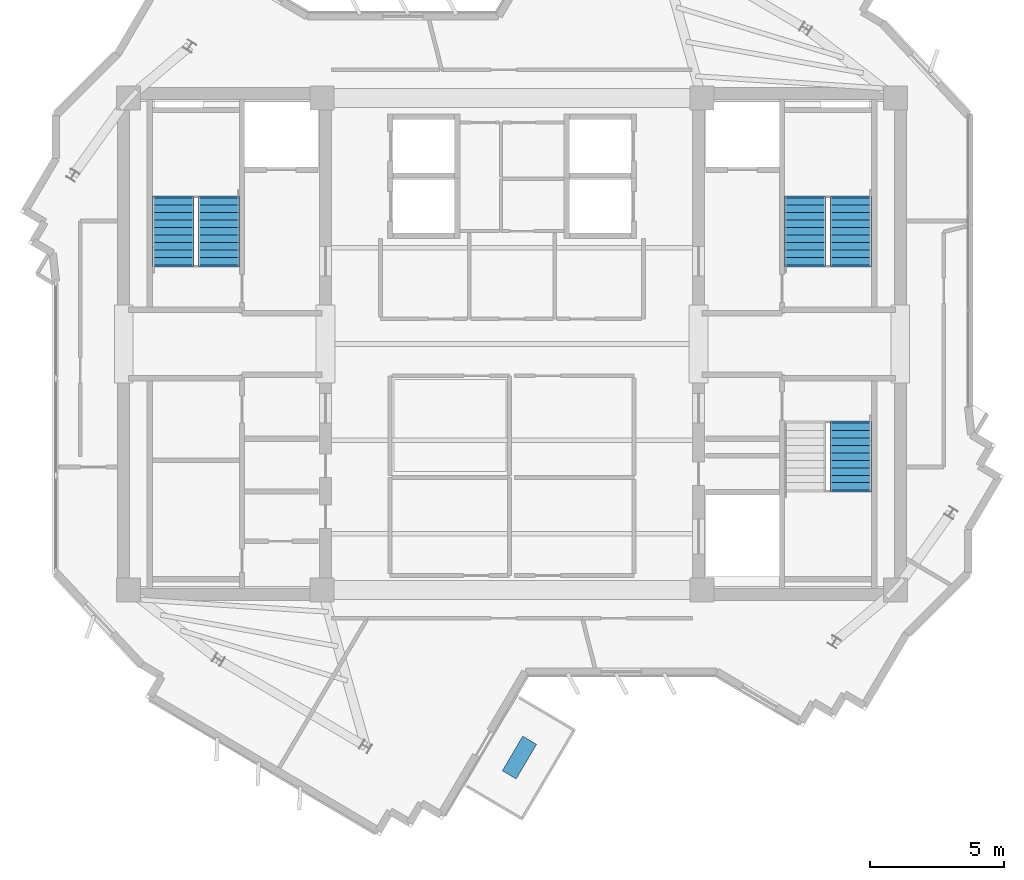
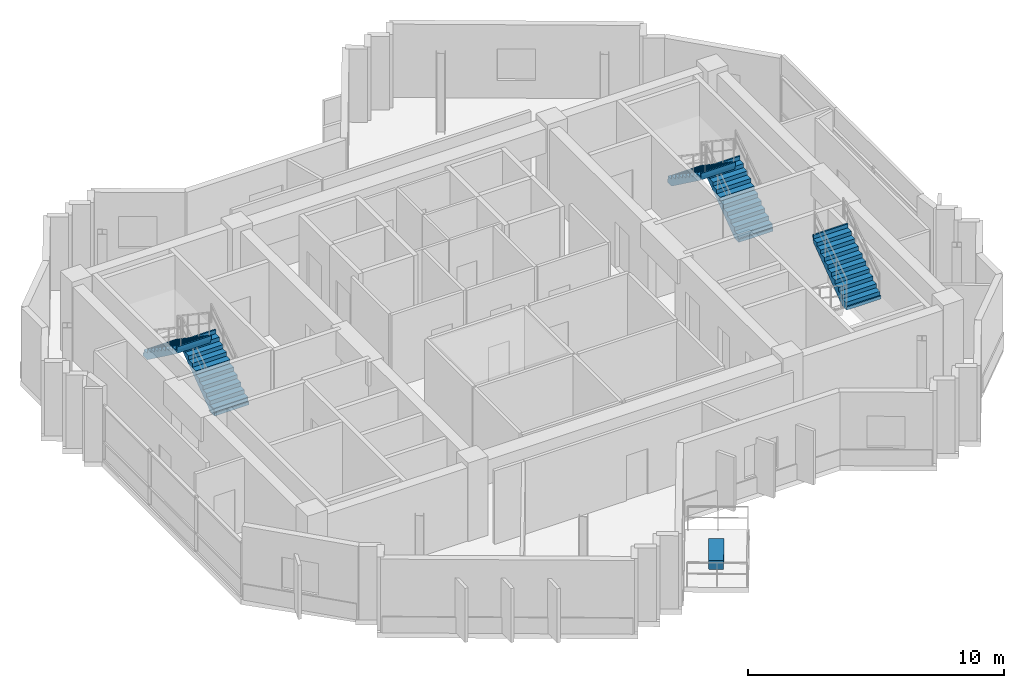
# One storey, part 8 of 10: 5 stair flights, 1 discrete accessory, 3 elements without a shape of their own.
"""IFC4 building model written with IfcOpenShell, lengths in metres."""

from ifc_helpers import new_model, si_unit, direction, frame, origin, origin_2d, place, context, subcontext, project, spatial, polyline, rectangle, outline, extrude, source, transform, mapped, material, type_object, element, aggregate, save


model = new_model("IFC4")

# Units and contexts
model_context = context("Model", 3, precision=1e-05, world=origin(), true_north=direction((0.0, 1.0)))
body_context = subcontext(model_context, "Body", "Model", "MODEL_VIEW")
ifc_project = project(units=[si_unit("LENGTHUNIT", "METRE"), si_unit("AREAUNIT", "SQUARE_METRE"), si_unit("VOLUMEUNIT", "CUBIC_METRE"), si_unit("PLANEANGLEUNIT", "RADIAN"), si_unit("MASSUNIT", "GRAM", prefix="KILO")], contexts=[model_context])

# Site, building, storey
site_placement = place(None, origin())
site = spatial("IfcSite", under=ifc_project, at=site_placement, CompositionType="ELEMENT")
building_placement = place(site_placement, origin())
building = spatial("IfcBuilding", under=site, at=building_placement, Name="Zahravan Cultural Tower", CompositionType="ELEMENT")
storey_placement = place(building_placement, frame((0.0, 0.0, 346.050048828125)))
storey = spatial("IfcBuildingStorey", under=building, at=storey_placement, Name="L84", CompositionType="ELEMENT", Elevation=346.050048828125)

# Stair, stair flights
ifc_material_1 = material(Name="Concrete C45/55", Category="concrete")
stair_type = type_object("IfcStairType", Name="STR-DL-1550-375", PredefinedType="HALF_TURN_STAIR", material=ifc_material_1)
stair_1_placement = place(storey_placement, origin())
stair_1 = element("IfcStair", 1, at=stair_1_placement, inside=storey, type_object=stair_type, Name="L84 West Core North Exit Stair ST-W1", PredefinedType="HALF_TURN_STAIR")
stair_flight_type = type_object("IfcStairFlightType", Name="FLG-DL-1550-375", PredefinedType="STRAIGHT", material=ifc_material_1)
stair_flight_1_placement = place(storey_placement, frame((25.02490234375, 29.949951171875, 0.0), z_axis=(0.0, 0.0, 1.0), x_axis=(0.0, 1.0, 0.0)))
stair_flight_1 = element("IfcStairFlight", 2, at=stair_flight_1_placement, type_object=stair_flight_type, Name="ST-W1 flight 1", NumberOfRisers=10, NumberOfTreads=9, PredefinedType="STRAIGHT", RiserHeight=0.1875, TreadLength=0.28, context=body_context, shape_type="SweptSolid", body=[
    extrude(outline(polyline([(-0.06494140625, -0.139892578125), (-0.06494140625, 0.0), (0.0, 0.0), (0.0, 0.1875), (0.280029296875, 0.1875), (0.280029296875, 0.375), (0.56005859375, 0.375), (0.56005859375, 0.5625), (0.840087890625, 0.5625), (0.840087890625, 0.75), (1.1201171875, 0.75), (1.1201171875, 0.9375), (1.39990234375, 0.9375), (1.39990234375, 1.125), (1.679931640625, 1.125), (1.679931640625, 1.3125), (1.9599609375, 1.3125), (1.9599609375, 1.5), (2.239990234375, 1.5), (2.239990234375, 1.6875), (2.52001953125, 1.6875), (2.52001953125, 1.875), (2.5849609375, 1.875), (2.5849609375, 1.72509765625), (2.52001953125, 1.507080078125), (0.26953125, -0.139892578125), (-0.06494140625, -0.139892578125)])), frame((0.0, 0.77490234375, 0.0), z_axis=(0.0, -1.0, 0.0), x_axis=(1.0, 0.0, 0.0)), (0.0, 0.0, 1.0), 1.550048828125),
])
stair_flight_2_placement = place(storey_placement, frame((23.324951171875, 32.469970703125, 1.875), z_axis=(0.0, 0.0, 1.0), x_axis=(0.0, -1.0, 0.0)))
stair_flight_2 = element("IfcStairFlight", 3, at=stair_flight_2_placement, type_object=stair_flight_type, Name="ST-W1 flight 2", NumberOfRisers=10, NumberOfTreads=9, PredefinedType="STRAIGHT", RiserHeight=0.1875, TreadLength=0.28, context=body_context, shape_type="SweptSolid", body=[
    extrude(outline(polyline([(-0.06494140625, -0.139892578125), (-0.06494140625, 0.0), (0.0, 0.0), (0.0, 0.1875), (0.280029296875, 0.1875), (0.280029296875, 0.375), (0.56005859375, 0.375), (0.56005859375, 0.5625), (0.840087890625, 0.5625), (0.840087890625, 0.75), (1.1201171875, 0.75), (1.1201171875, 0.9375), (1.39990234375, 0.9375), (1.39990234375, 1.125), (1.679931640625, 1.125), (1.679931640625, 1.3125), (1.9599609375, 1.3125), (1.9599609375, 1.5), (2.239990234375, 1.5), (2.239990234375, 1.6875), (2.52001953125, 1.6875), (2.52001953125, 1.875), (2.5849609375, 1.875), (2.5849609375, 1.72509765625), (2.52001953125, 1.507080078125), (0.26953125, -0.139892578125), (-0.06494140625, -0.139892578125)])), frame((0.0, 0.77490234375, 0.0), z_axis=(0.0, -1.0, 0.0), x_axis=(1.0, 0.0, 0.0)), (0.0, 0.0, 1.0), 1.550048828125),
])
aggregate(stair_1, [stair_flight_1, stair_flight_2])

stair_2_placement = place(storey_placement, origin())
stair_2 = element("IfcStair", 4, at=stair_2_placement, inside=storey, type_object=stair_type, Name="L84 East Core North Exit Stair ST-E1", PredefinedType="HALF_TURN_STAIR")
stair_flight_3_placement = place(storey_placement, frame((48.675048828125, 29.949951171875, 0.0), z_axis=(0.0, 0.0, 1.0), x_axis=(0.0, 1.0, 0.0)))
stair_flight_3 = element("IfcStairFlight", 5, at=stair_flight_3_placement, type_object=stair_flight_type, Name="ST-E1 flight 1", NumberOfRisers=10, NumberOfTreads=9, PredefinedType="STRAIGHT", RiserHeight=0.1875, TreadLength=0.28, context=body_context, shape_type="SweptSolid", body=[
    extrude(outline(polyline([(-0.06494140625, -0.139892578125), (-0.06494140625, 0.0), (0.0, 0.0), (0.0, 0.1875), (0.280029296875, 0.1875), (0.280029296875, 0.375), (0.56005859375, 0.375), (0.56005859375, 0.5625), (0.840087890625, 0.5625), (0.840087890625, 0.75), (1.1201171875, 0.75), (1.1201171875, 0.9375), (1.39990234375, 0.9375), (1.39990234375, 1.125), (1.679931640625, 1.125), (1.679931640625, 1.3125), (1.9599609375, 1.3125), (1.9599609375, 1.5), (2.239990234375, 1.5), (2.239990234375, 1.6875), (2.52001953125, 1.6875), (2.52001953125, 1.875), (2.5849609375, 1.875), (2.5849609375, 1.72509765625), (2.52001953125, 1.507080078125), (0.26953125, -0.139892578125), (-0.06494140625, -0.139892578125)])), frame((0.0, 0.77490234375, 0.0), z_axis=(0.0, -1.0, 0.0), x_axis=(1.0, 0.0, 0.0)), (0.0, 0.0, 1.0), 1.550048828125),
])
stair_flight_4_placement = place(storey_placement, frame((46.97509765625, 32.469970703125, 1.875), z_axis=(0.0, 0.0, 1.0), x_axis=(0.0, -1.0, 0.0)))
stair_flight_4 = element("IfcStairFlight", 6, at=stair_flight_4_placement, type_object=stair_flight_type, Name="ST-E1 flight 2", NumberOfRisers=10, NumberOfTreads=9, PredefinedType="STRAIGHT", RiserHeight=0.1875, TreadLength=0.28, context=body_context, shape_type="SweptSolid", body=[
    extrude(outline(polyline([(-0.06494140625, -0.139892578125), (-0.06494140625, 0.0), (0.0, 0.0), (0.0, 0.1875), (0.280029296875, 0.1875), (0.280029296875, 0.375), (0.56005859375, 0.375), (0.56005859375, 0.5625), (0.840087890625, 0.5625), (0.840087890625, 0.75), (1.1201171875, 0.75), (1.1201171875, 0.9375), (1.39990234375, 0.9375), (1.39990234375, 1.125), (1.679931640625, 1.125), (1.679931640625, 1.3125), (1.9599609375, 1.3125), (1.9599609375, 1.5), (2.239990234375, 1.5), (2.239990234375, 1.6875), (2.52001953125, 1.6875), (2.52001953125, 1.875), (2.5849609375, 1.875), (2.5849609375, 1.72509765625), (2.52001953125, 1.507080078125), (0.26953125, -0.139892578125), (-0.06494140625, -0.139892578125)])), frame((0.0, 0.77490234375, 0.0), z_axis=(0.0, -1.0, 0.0), x_axis=(1.0, 0.0, 0.0)), (0.0, 0.0, 1.0), 1.550048828125),
])
aggregate(stair_2, [stair_flight_3, stair_flight_4])

# Stair, stair flight
stair_3_placement = place(storey_placement, origin())
stair_3 = element("IfcStair", 7, at=stair_3_placement, inside=storey, type_object=stair_type, Name="L84 East Core South Exit Stair ST-E2", PredefinedType="HALF_TURN_STAIR")
stair_flight_5_placement = place(storey_placement, frame((48.675048828125, 21.530029296875, 1.875), z_axis=(0.0, 0.0, 1.0), x_axis=(0.0, 1.0, 0.0)))
stair_flight_5 = element("IfcStairFlight", 8, at=stair_flight_5_placement, type_object=stair_flight_type, Name="ST-E2 flight 2", NumberOfRisers=10, NumberOfTreads=9, PredefinedType="STRAIGHT", RiserHeight=0.1875, TreadLength=0.28, context=body_context, shape_type="SweptSolid", body=[
    extrude(outline(polyline([(-0.06494140625, -0.139892578125), (-0.06494140625, 0.0), (0.0, 0.0), (0.0, 0.1875), (0.280029296875, 0.1875), (0.280029296875, 0.375), (0.56005859375, 0.375), (0.56005859375, 0.5625), (0.840087890625, 0.5625), (0.840087890625, 0.75), (1.1201171875, 0.75), (1.1201171875, 0.9375), (1.39990234375, 0.9375), (1.39990234375, 1.125), (1.679931640625, 1.125), (1.679931640625, 1.3125), (1.9599609375, 1.3125), (1.9599609375, 1.5), (2.239990234375, 1.5), (2.239990234375, 1.6875), (2.52001953125, 1.6875), (2.52001953125, 1.875), (2.5849609375, 1.875), (2.5849609375, 1.72509765625), (2.52001953125, 1.507080078125), (0.26953125, -0.139892578125), (-0.06494140625, -0.139892578125)])), frame((0.0, 0.77490234375, 0.0), z_axis=(0.0, -1.0, 0.0), x_axis=(1.0, 0.0, 0.0)), (0.0, 0.0, 1.0), 1.550048828125),
])
aggregate(stair_3, [stair_flight_5])

# Discrete accessory
ifc_material_2 = material(Name="Planted soil and terracotta planter", Category="masonry")
discrete_accessory_type = type_object("IfcDiscreteAccessoryType", Name="ACC-PLANTER-TC", PredefinedType="USERDEFINED", material=ifc_material_2)
shared_shape = source(origin(), body_context, "Body", "SweptSolid", [
    extrude(rectangle(XDim=1.5, YDim=0.60009765625, at=origin_2d()), origin(), (0.0, 0.0, 1.0), 0.419921875),
])
discrete_accessory_placement = place(storey_placement, frame((36.278564453125, 11.531005859375, 0.0), z_axis=(0.0, 0.0, 1.0), x_axis=(0.508290082898, 0.861185921638, 0.0)))
element("IfcDiscreteAccessory", 9, at=discrete_accessory_placement, inside=storey, type_object=discrete_accessory_type, Name="L84 Terracotta Sculpture Planter SW", ObjectType="PLANTER", PredefinedType="USERDEFINED", context=body_context, shape_type="MappedRepresentation", body=[
    mapped(shared_shape, transform((0.0, 0.0, 0.0), x_axis=(1.0, 0.0, 0.0), y_axis=(0.0, 1.0, 0.0), z_axis=(0.0, 0.0, 1.0), scale=1.0)),
])

save(model, "model.ifc")
